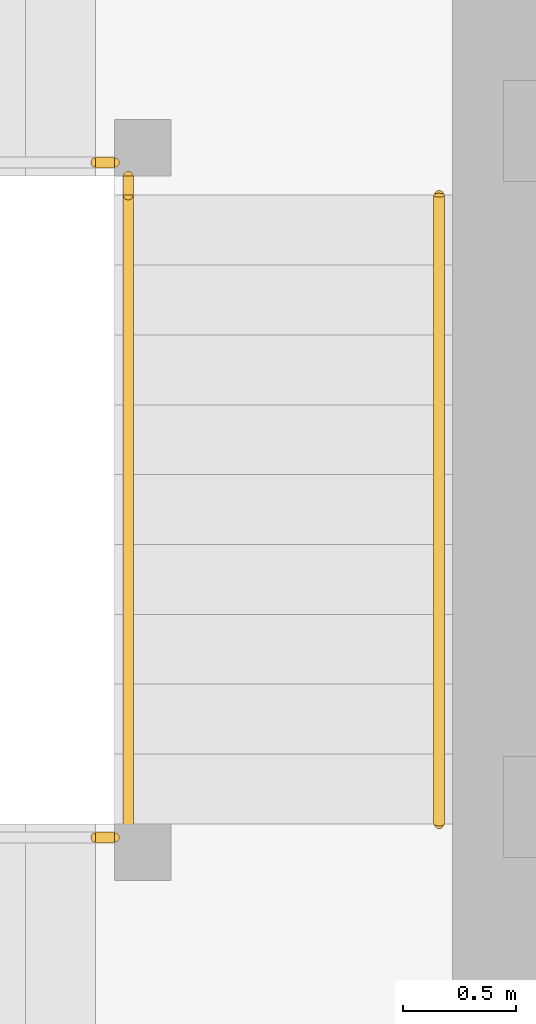
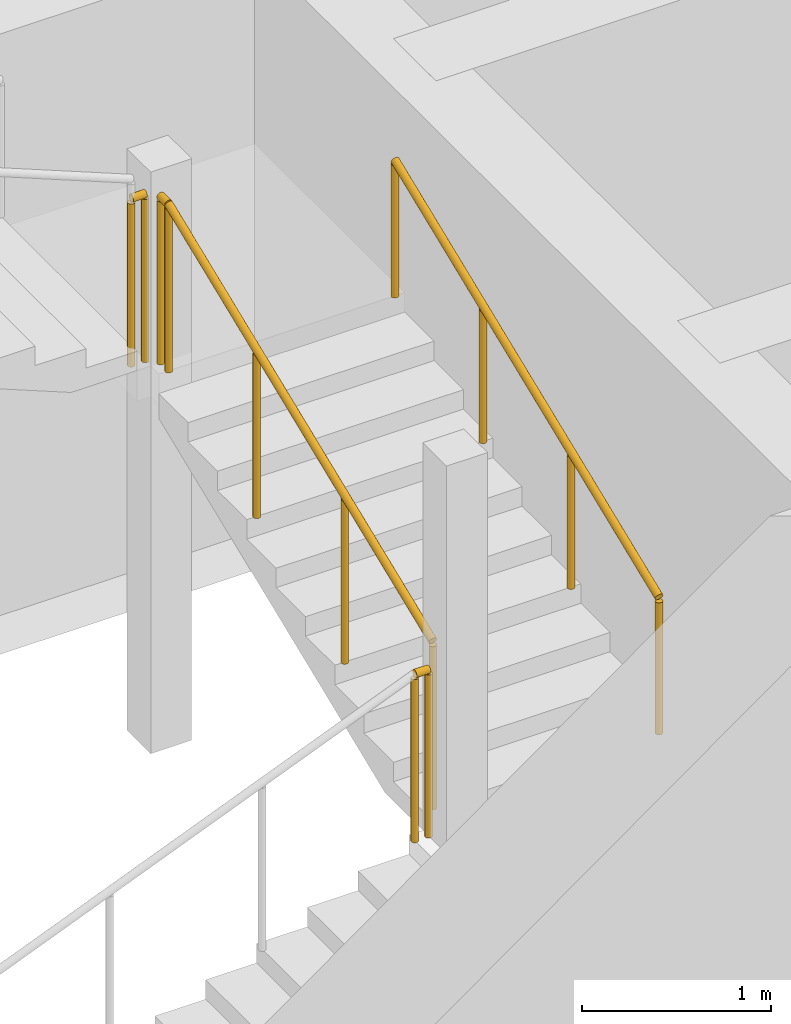
# One storey, part 30 of 34: 5 railings.
"""IFC4 building model written with IfcOpenShell, lengths in metres."""

from ifc_helpers import new_model, si_unit, direction, frame, origin, origin_2d, place, context, subcontext, project, spatial, circle, extrude, material, type_object, element, save


model = new_model("IFC4")

# Units and contexts
model_context = context("Model", 3, precision=1e-05, world=origin(), true_north=direction((0.0, 1.0)))
body_context = subcontext(model_context, "Body", "Model", "MODEL_VIEW")
ifc_project = project(units=[si_unit("LENGTHUNIT", "METRE"), si_unit("AREAUNIT", "SQUARE_METRE"), si_unit("VOLUMEUNIT", "CUBIC_METRE"), si_unit("PLANEANGLEUNIT", "RADIAN"), si_unit("MASSUNIT", "GRAM", prefix="KILO")], contexts=[model_context])

# Site, building, storey
site_placement = place(None, origin())
site = spatial("IfcSite", under=ifc_project, at=site_placement, CompositionType="ELEMENT")
building_placement = place(site_placement, origin())
building = spatial("IfcBuilding", under=site, at=building_placement, Name="Rekha Terrace Tower", CompositionType="ELEMENT")
storey_placement = place(building_placement, frame((0.0, 0.0, 236.449951171875)))
storey = spatial("IfcBuildingStorey", under=building, at=storey_placement, Name="L60", CompositionType="ELEMENT", Elevation=236.449951171875)

# Railings
ifc_material_1 = material(Name="Stainless steel balustrade", Category="steel")
railing_type_1 = type_object("IfcRailingType", Name="GR1 1100 stair guard", PredefinedType="GUARDRAIL", material=ifc_material_1)
railing_1_placement = place(storey_placement, frame((30.135009765625, 41.324951171875, 1.375)))
element("IfcRailing", 1, at=railing_1_placement, inside=storey, type_object=railing_type_1, Name="Guard ST4 L60 flight 2", PredefinedType="GUARDRAIL", context=body_context, shape_type="SweptSolid", body=[
    extrude(circle(Radius=0.02392578125, at=origin_2d()), frame((0.0, 0.0, 1.076171875), z_axis=(0.0, 0.927443287984, 0.373963831907), x_axis=(-1.0, 0.0, 0.0)), (0.0, 0.0, 1.0), 3.00830078125),
    extrude(circle(Radius=0.02099609375, at=origin_2d()), origin(), (0.0, 0.0, 1.0), 1.052001953125),
    extrude(circle(Radius=0.02099609375, at=origin_2d()), frame((0.0, 0.929931640625, 0.375)), (0.0, 0.0, 1.0), 1.052001953125),
    extrude(circle(Radius=0.02099609375, at=origin_2d()), frame((0.0, 1.860107421875, 0.75)), (0.0, 0.0, 1.0), 1.052001953125),
    extrude(circle(Radius=0.02099609375, at=origin_2d()), frame((0.0, 2.7900390625, 1.125)), (0.0, 0.0, 1.0), 1.052001953125),
])
railing_2_placement = place(storey_placement, frame((29.989990234375, 41.264892578125, 1.25)))
element("IfcRailing", 2, at=railing_2_placement, inside=storey, type_object=railing_type_1, Name="Guard ST4 L60 landing 1", PredefinedType="GUARDRAIL", context=body_context, shape_type="SweptSolid", body=[
    extrude(circle(Radius=0.02392578125, at=origin_2d()), frame((0.0, 0.0, 1.076171875), z_axis=(1.0, 0.0, 0.0), x_axis=(0.0, 1.0, 0.0)), (0.0, 0.0, 1.0), 0.0849609375),
    extrude(circle(Radius=0.02099609375, at=origin_2d()), origin(), (0.0, 0.0, 1.0), 1.052001953125),
    extrude(circle(Radius=0.02099609375, at=origin_2d()), frame((0.0849609375, 0.0, 0.0)), (0.0, 0.0, 1.0), 1.052001953125),
])
railing_3_placement = place(storey_placement, frame((30.135009765625, 44.114990234375, 2.5)))
element("IfcRailing", 3, at=railing_3_placement, inside=storey, type_object=railing_type_1, Name="Guard ST4 L60 landing 2", PredefinedType="GUARDRAIL", context=body_context, shape_type="SweptSolid", body=[
    extrude(circle(Radius=0.02392578125, at=origin_2d()), frame((0.0, 0.0, 1.076171875), z_axis=(0.0, 1.0, 0.0), x_axis=(-1.0, 0.0, 0.0)), (0.0, 0.0, 1.0), 0.0849609375),
    extrude(circle(Radius=0.02099609375, at=origin_2d()), origin(), (0.0, 0.0, 1.0), 1.052001953125),
    extrude(circle(Radius=0.02099609375, at=origin_2d()), frame((0.0, 0.0849609375, 0.0)), (0.0, 0.0, 1.0), 1.052001953125),
])
railing_4_placement = place(storey_placement, frame((29.989990234375, 44.260009765625, 2.5)))
element("IfcRailing", 4, at=railing_4_placement, inside=storey, type_object=railing_type_1, Name="Guard ST4 L60 landing 3", PredefinedType="GUARDRAIL", context=body_context, shape_type="SweptSolid", body=[
    extrude(circle(Radius=0.02392578125, at=origin_2d()), frame((0.0, 0.0, 1.076171875), z_axis=(1.0, 0.0, 0.0), x_axis=(0.0, 1.0, 0.0)), (0.0, 0.0, 1.0), 0.0849609375),
    extrude(circle(Radius=0.02099609375, at=origin_2d()), origin(), (0.0, 0.0, 1.0), 1.052001953125),
    extrude(circle(Radius=0.02099609375, at=origin_2d()), frame((0.0849609375, 0.0, 0.0)), (0.0, 0.0, 1.0), 1.052001953125),
])
ifc_material_2 = material(Name="Stainless steel tube", Category="steel")
railing_type_2 = type_object("IfcRailingType", Name="HR1 900 stair handrail", PredefinedType="HANDRAIL", material=ifc_material_2)
railing_5_placement = place(storey_placement, frame((31.514892578125, 41.324951171875, 1.375)))
element("IfcRailing", 5, at=railing_5_placement, inside=storey, type_object=railing_type_2, Name="Handrail ST4 L60 flight 2", PredefinedType="HANDRAIL", context=body_context, shape_type="SweptSolid", body=[
    extrude(circle(Radius=0.02392578125, at=origin_2d()), frame((0.0, 0.0, 0.8759765625), z_axis=(0.0, 0.927443287984, 0.373963831907), x_axis=(-1.0, 0.0, 0.0)), (0.0, 0.0, 1.0), 3.00830078125),
    extrude(circle(Radius=0.02099609375, at=origin_2d()), origin(), (0.0, 0.0, 1.0), 0.851806640625),
    extrude(circle(Radius=0.02099609375, at=origin_2d()), frame((0.0, 0.929931640625, 0.375)), (0.0, 0.0, 1.0), 0.851806640625),
    extrude(circle(Radius=0.02099609375, at=origin_2d()), frame((0.0, 1.860107421875, 0.75)), (0.0, 0.0, 1.0), 0.851806640625),
    extrude(circle(Radius=0.02099609375, at=origin_2d()), frame((0.0, 2.7900390625, 1.125)), (0.0, 0.0, 1.0), 0.851806640625),
])

save(model, "model.ifc")
